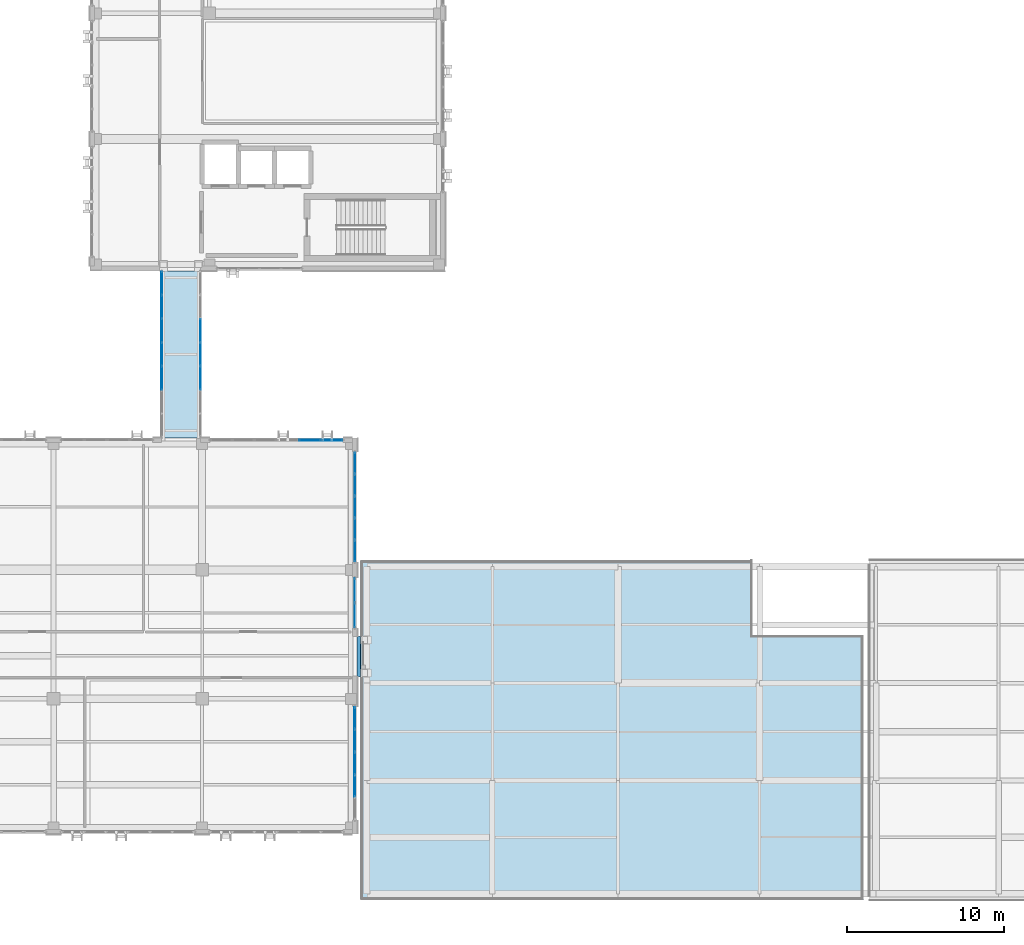
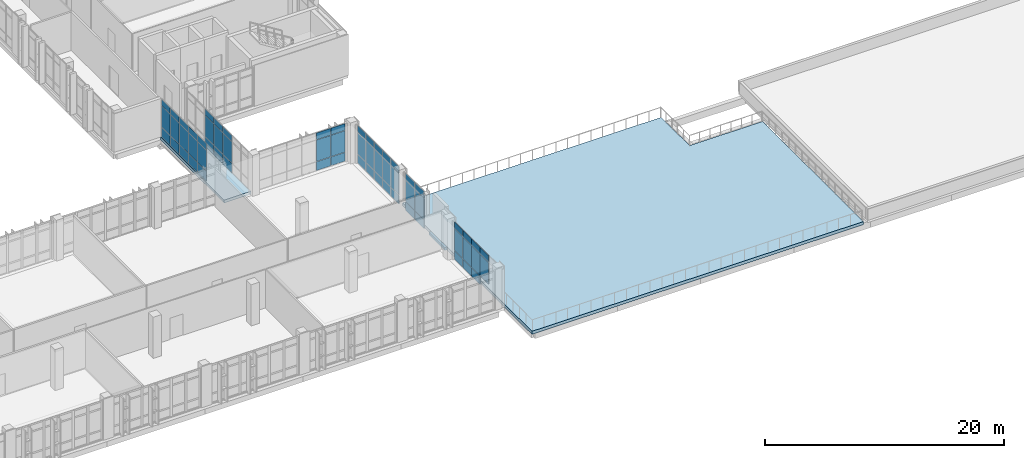
# One storey, part 120 of 165: 62 plates, 3 slabs, 6 elements without a shape of their own.
"""IFC4 building model written with IfcOpenShell, lengths in metres."""

from ifc_helpers import new_model, si_unit, direction, frame, origin, origin_2d, place, context, subcontext, project, spatial, polyline, rectangle, outline, extrude, material, layer, layer_set, type_object, element, aggregate, save


model = new_model("IFC4")

# Units and contexts
model_context = context("Model", 3, precision=1e-05, world=origin(), true_north=direction((0.0, 1.0)))
body_context = subcontext(model_context, "Body", "Model", "MODEL_VIEW")
ifc_project = project(units=[si_unit("LENGTHUNIT", "METRE"), si_unit("AREAUNIT", "SQUARE_METRE"), si_unit("VOLUMEUNIT", "CUBIC_METRE"), si_unit("PLANEANGLEUNIT", "RADIAN"), si_unit("MASSUNIT", "GRAM", prefix="KILO")], contexts=[model_context])

# Site, building, storey
site_placement = place(None, origin())
site = spatial("IfcSite", under=ifc_project, at=site_placement, CompositionType="ELEMENT")
building_placement = place(site_placement, origin())
building = spatial("IfcBuilding", under=site, at=building_placement, Name="Qalavern Law Courts", CompositionType="ELEMENT")
storey_placement = place(building_placement, frame((0.0, 0.0, 14.39990234375)))
storey = spatial("IfcBuildingStorey", under=building, at=storey_placement, Name="L03", CompositionType="ELEMENT", Elevation=14.39990234375)

# Curtain wall, plates
ifc_material_1 = material(Name="Anodised aluminium and insulated glazing", Category="aluminium")
ifc_layer_1 = layer(ifc_material_1, 0.18505859375)
ifc_layer_set_1 = layer_set([ifc_layer_1], Name="Anodised aluminium and insulated glazing")
curtain_wall_type_1 = type_object("IfcCurtainWallType", Name="ENV-CW-HALL", PredefinedType="USERDEFINED", material=ifc_layer_set_1)
curtain_wall_1_placement = place(storey_placement, origin())
curtain_wall_1 = element("IfcCurtainWall", 1, at=curtain_wall_1_placement, inside=storey, type_object=curtain_wall_type_1, Name="V2 unitised curtain wall L03 east 1", ObjectType="UNITISED CURTAIN WALL", PredefinedType="USERDEFINED")
ifc_material_2 = material(Name="Insulated low-E acoustic glazing", Category="glass")
ifc_layer_2 = layer(ifc_material_2, 0.02392578125)
ifc_layer_set_2 = layer_set([ifc_layer_2], Name="Insulated low-E acoustic glazing")
plate_type_1 = type_object("IfcPlateType", Name="ENV-CWP-24", PredefinedType="CURTAIN_PANEL", material=ifc_layer_set_2)
plate_1_placement = place(storey_placement, frame((101.052490234375, 19.112060546875, 0.048095703125), z_axis=(0.0, 0.0, 1.0), x_axis=(0.0, 1.0, 0.0)))
plate_1 = element("IfcPlate", 2, at=plate_1_placement, type_object=plate_type_1, Name="CW-02 panel 1.1", PredefinedType="CURTAIN_PANEL", context=body_context, shape_type="SweptSolid", body=[
    extrude(rectangle(XDim=1.528076171875, YDim=0.02392578125, at=origin_2d()), origin(), (0.0, 0.0, 1.0), 0.8779296875),
])
plate_2_placement = place(storey_placement, frame((101.052490234375, 19.112060546875, 0.97412109375), z_axis=(0.0, 0.0, 1.0), x_axis=(0.0, 1.0, 0.0)))
plate_2 = element("IfcPlate", 3, at=plate_2_placement, type_object=plate_type_1, Name="CW-02 panel 1.2", PredefinedType="CURTAIN_PANEL", context=body_context, shape_type="SweptSolid", body=[
    extrude(rectangle(XDim=1.528076171875, YDim=0.02392578125, at=origin_2d()), origin(), (0.0, 0.0, 1.0), 2.172119140625),
])
plate_3_placement = place(storey_placement, frame((101.052490234375, 19.112060546875, 3.1943359375), z_axis=(0.0, 0.0, 1.0), x_axis=(0.0, 1.0, 0.0)))
plate_3 = element("IfcPlate", 4, at=plate_3_placement, type_object=plate_type_1, Name="CW-02 panel 1.3", PredefinedType="CURTAIN_PANEL", context=body_context, shape_type="SweptSolid", body=[
    extrude(rectangle(XDim=1.528076171875, YDim=0.02392578125, at=origin_2d()), origin(), (0.0, 0.0, 1.0), 0.677978515625),
])
plate_4_placement = place(storey_placement, frame((101.052490234375, 20.68798828125, 0.048095703125), z_axis=(0.0, 0.0, 1.0), x_axis=(0.0, 1.0, 0.0)))
plate_4 = element("IfcPlate", 5, at=plate_4_placement, type_object=plate_type_1, Name="CW-02 panel 2.1", PredefinedType="CURTAIN_PANEL", context=body_context, shape_type="SweptSolid", body=[
    extrude(rectangle(XDim=1.528076171875, YDim=0.02392578125, at=origin_2d()), origin(), (0.0, 0.0, 1.0), 0.8779296875),
])
plate_5_placement = place(storey_placement, frame((101.052490234375, 20.68798828125, 0.97412109375), z_axis=(0.0, 0.0, 1.0), x_axis=(0.0, 1.0, 0.0)))
plate_5 = element("IfcPlate", 6, at=plate_5_placement, type_object=plate_type_1, Name="CW-02 panel 2.2", PredefinedType="CURTAIN_PANEL", context=body_context, shape_type="SweptSolid", body=[
    extrude(rectangle(XDim=1.528076171875, YDim=0.02392578125, at=origin_2d()), origin(), (0.0, 0.0, 1.0), 2.172119140625),
])
plate_6_placement = place(storey_placement, frame((101.052490234375, 20.68798828125, 3.1943359375), z_axis=(0.0, 0.0, 1.0), x_axis=(0.0, 1.0, 0.0)))
plate_6 = element("IfcPlate", 7, at=plate_6_placement, type_object=plate_type_1, Name="CW-02 panel 2.3", PredefinedType="CURTAIN_PANEL", context=body_context, shape_type="SweptSolid", body=[
    extrude(rectangle(XDim=1.528076171875, YDim=0.02392578125, at=origin_2d()), origin(), (0.0, 0.0, 1.0), 0.677978515625),
])
aggregate(curtain_wall_1, [plate_1, plate_2, plate_3, plate_4, plate_5, plate_6])

curtain_wall_2_placement = place(storey_placement, origin())
curtain_wall_2 = element("IfcCurtainWall", 8, at=curtain_wall_2_placement, inside=storey, type_object=curtain_wall_type_1, Name="V2 unitised curtain wall L03 east 2", ObjectType="UNITISED CURTAIN WALL", PredefinedType="USERDEFINED")
ifc_layer_3 = layer(ifc_material_2, 0.028076171875)
ifc_layer_set_3 = layer_set([ifc_layer_3], Name="Insulated low-E acoustic glazing")
plate_type_2 = type_object("IfcPlateType", Name="ENV-CWP-28", PredefinedType="CURTAIN_PANEL", material=ifc_layer_set_3)
plate_7_placement = place(storey_placement, frame((101.052490234375, 23.2119140625, 0.048095703125), z_axis=(0.0, 0.0, 1.0), x_axis=(0.0, 1.0, 0.0)))
plate_7 = element("IfcPlate", 9, at=plate_7_placement, type_object=plate_type_2, Name="CW-02 panel 1.1", PredefinedType="CURTAIN_PANEL", context=body_context, shape_type="SweptSolid", body=[
    extrude(rectangle(XDim=1.327880859375, YDim=0.028076171875, at=origin_2d()), origin(), (0.0, 0.0, 1.0), 0.8779296875),
])
plate_8_placement = place(storey_placement, frame((101.052490234375, 23.2119140625, 0.97412109375), z_axis=(0.0, 0.0, 1.0), x_axis=(0.0, 1.0, 0.0)))
plate_8 = element("IfcPlate", 10, at=plate_8_placement, type_object=plate_type_2, Name="CW-02 panel 1.2", PredefinedType="CURTAIN_PANEL", context=body_context, shape_type="SweptSolid", body=[
    extrude(rectangle(XDim=1.327880859375, YDim=0.028076171875, at=origin_2d()), origin(), (0.0, 0.0, 1.0), 2.172119140625),
])
plate_9_placement = place(storey_placement, frame((101.052490234375, 23.2119140625, 3.1943359375), z_axis=(0.0, 0.0, 1.0), x_axis=(0.0, 1.0, 0.0)))
plate_9 = element("IfcPlate", 11, at=plate_9_placement, type_object=plate_type_2, Name="CW-02 panel 1.3", PredefinedType="CURTAIN_PANEL", context=body_context, shape_type="SweptSolid", body=[
    extrude(rectangle(XDim=1.327880859375, YDim=0.028076171875, at=origin_2d()), origin(), (0.0, 0.0, 1.0), 0.677978515625),
])
plate_10_placement = place(storey_placement, frame((101.052490234375, 24.60009765625, 0.048095703125), z_axis=(0.0, 0.0, 1.0), x_axis=(0.0, 1.0, 0.0)))
plate_10 = element("IfcPlate", 12, at=plate_10_placement, type_object=plate_type_2, Name="CW-02 panel 2.1", PredefinedType="CURTAIN_PANEL", context=body_context, shape_type="SweptSolid", body=[
    extrude(rectangle(XDim=1.35205078125, YDim=0.028076171875, at=origin_2d()), origin(), (0.0, 0.0, 1.0), 0.8779296875),
])
plate_11_placement = place(storey_placement, frame((101.052490234375, 24.60009765625, 0.97412109375), z_axis=(0.0, 0.0, 1.0), x_axis=(0.0, 1.0, 0.0)))
plate_11 = element("IfcPlate", 13, at=plate_11_placement, type_object=plate_type_2, Name="CW-02 panel 2.2", PredefinedType="CURTAIN_PANEL", context=body_context, shape_type="SweptSolid", body=[
    extrude(rectangle(XDim=1.35205078125, YDim=0.028076171875, at=origin_2d()), origin(), (0.0, 0.0, 1.0), 2.172119140625),
])
plate_12_placement = place(storey_placement, frame((101.052490234375, 24.60009765625, 3.1943359375), z_axis=(0.0, 0.0, 1.0), x_axis=(0.0, 1.0, 0.0)))
plate_12 = element("IfcPlate", 14, at=plate_12_placement, type_object=plate_type_2, Name="CW-02 panel 2.3", PredefinedType="CURTAIN_PANEL", context=body_context, shape_type="SweptSolid", body=[
    extrude(rectangle(XDim=1.35205078125, YDim=0.028076171875, at=origin_2d()), origin(), (0.0, 0.0, 1.0), 0.677978515625),
])
plate_13_placement = place(storey_placement, frame((101.052490234375, 26.0, 0.048095703125), z_axis=(0.0, 0.0, 1.0), x_axis=(0.0, 1.0, 0.0)))
plate_13 = element("IfcPlate", 15, at=plate_13_placement, type_object=plate_type_2, Name="CW-02 panel 3.1", PredefinedType="CURTAIN_PANEL", context=body_context, shape_type="SweptSolid", body=[
    extrude(rectangle(XDim=1.35205078125, YDim=0.028076171875, at=origin_2d()), origin(), (0.0, 0.0, 1.0), 0.8779296875),
])
plate_14_placement = place(storey_placement, frame((101.052490234375, 26.0, 0.97412109375), z_axis=(0.0, 0.0, 1.0), x_axis=(0.0, 1.0, 0.0)))
plate_14 = element("IfcPlate", 16, at=plate_14_placement, type_object=plate_type_2, Name="CW-02 panel 3.2", PredefinedType="CURTAIN_PANEL", context=body_context, shape_type="SweptSolid", body=[
    extrude(rectangle(XDim=1.35205078125, YDim=0.028076171875, at=origin_2d()), origin(), (0.0, 0.0, 1.0), 2.172119140625),
])
plate_15_placement = place(storey_placement, frame((101.052490234375, 26.0, 3.1943359375), z_axis=(0.0, 0.0, 1.0), x_axis=(0.0, 1.0, 0.0)))
plate_15 = element("IfcPlate", 17, at=plate_15_placement, type_object=plate_type_2, Name="CW-02 panel 3.3", PredefinedType="CURTAIN_PANEL", context=body_context, shape_type="SweptSolid", body=[
    extrude(rectangle(XDim=1.35205078125, YDim=0.028076171875, at=origin_2d()), origin(), (0.0, 0.0, 1.0), 0.677978515625),
])
plate_16_placement = place(storey_placement, frame((101.052490234375, 27.39990234375, 0.048095703125), z_axis=(0.0, 0.0, 1.0), x_axis=(0.0, 1.0, 0.0)))
plate_16 = element("IfcPlate", 18, at=plate_16_placement, type_object=plate_type_2, Name="CW-02 panel 4.1", PredefinedType="CURTAIN_PANEL", context=body_context, shape_type="SweptSolid", body=[
    extrude(rectangle(XDim=1.35205078125, YDim=0.028076171875, at=origin_2d()), origin(), (0.0, 0.0, 1.0), 0.8779296875),
])
plate_17_placement = place(storey_placement, frame((101.052490234375, 27.39990234375, 0.97412109375), z_axis=(0.0, 0.0, 1.0), x_axis=(0.0, 1.0, 0.0)))
plate_17 = element("IfcPlate", 19, at=plate_17_placement, type_object=plate_type_2, Name="CW-02 panel 4.2", PredefinedType="CURTAIN_PANEL", context=body_context, shape_type="SweptSolid", body=[
    extrude(rectangle(XDim=1.35205078125, YDim=0.028076171875, at=origin_2d()), origin(), (0.0, 0.0, 1.0), 2.172119140625),
])
plate_18_placement = place(storey_placement, frame((101.052490234375, 27.39990234375, 3.1943359375), z_axis=(0.0, 0.0, 1.0), x_axis=(0.0, 1.0, 0.0)))
plate_18 = element("IfcPlate", 20, at=plate_18_placement, type_object=plate_type_2, Name="CW-02 panel 4.3", PredefinedType="CURTAIN_PANEL", context=body_context, shape_type="SweptSolid", body=[
    extrude(rectangle(XDim=1.35205078125, YDim=0.028076171875, at=origin_2d()), origin(), (0.0, 0.0, 1.0), 0.677978515625),
])
plate_19_placement = place(storey_placement, frame((101.052490234375, 28.7880859375, 0.048095703125), z_axis=(0.0, 0.0, 1.0), x_axis=(0.0, 1.0, 0.0)))
plate_19 = element("IfcPlate", 21, at=plate_19_placement, type_object=plate_type_2, Name="CW-02 panel 5.1", PredefinedType="CURTAIN_PANEL", context=body_context, shape_type="SweptSolid", body=[
    extrude(rectangle(XDim=1.327880859375, YDim=0.028076171875, at=origin_2d()), origin(), (0.0, 0.0, 1.0), 0.8779296875),
])
plate_20_placement = place(storey_placement, frame((101.052490234375, 28.7880859375, 0.97412109375), z_axis=(0.0, 0.0, 1.0), x_axis=(0.0, 1.0, 0.0)))
plate_20 = element("IfcPlate", 22, at=plate_20_placement, type_object=plate_type_2, Name="CW-02 panel 5.2", PredefinedType="CURTAIN_PANEL", context=body_context, shape_type="SweptSolid", body=[
    extrude(rectangle(XDim=1.327880859375, YDim=0.028076171875, at=origin_2d()), origin(), (0.0, 0.0, 1.0), 2.172119140625),
])
plate_21_placement = place(storey_placement, frame((101.052490234375, 28.7880859375, 3.1943359375), z_axis=(0.0, 0.0, 1.0), x_axis=(0.0, 1.0, 0.0)))
plate_21 = element("IfcPlate", 23, at=plate_21_placement, type_object=plate_type_2, Name="CW-02 panel 5.3", PredefinedType="CURTAIN_PANEL", context=body_context, shape_type="SweptSolid", body=[
    extrude(rectangle(XDim=1.327880859375, YDim=0.028076171875, at=origin_2d()), origin(), (0.0, 0.0, 1.0), 0.677978515625),
])
aggregate(curtain_wall_2, [plate_7, plate_8, plate_9, plate_10, plate_11, plate_12, plate_13, plate_14, plate_15, plate_16, plate_17, plate_18, plate_19, plate_20, plate_21])

ifc_layer_4 = layer(ifc_material_1, 0.14990234375)
ifc_layer_set_4 = layer_set([ifc_layer_4], Name="Anodised aluminium and insulated glazing")
curtain_wall_type_2 = type_object("IfcCurtainWallType", Name="ENV-CW-BRG", PredefinedType="USERDEFINED", material=ifc_layer_set_4)
curtain_wall_3_placement = place(storey_placement, origin())
curtain_wall_3 = element("IfcCurtainWall", 24, at=curtain_wall_3_placement, inside=storey, type_object=curtain_wall_type_2, Name="Bridge BR-V2-V4 glazed curtain wall L03-1", ObjectType="UNITISED CURTAIN WALL", PredefinedType="USERDEFINED")
ifc_layer_5 = layer(ifc_material_2, 0.031982421875)
ifc_layer_set_5 = layer_set([ifc_layer_5], Name="Insulated low-E acoustic glazing")
plate_type_3 = type_object("IfcPlateType", Name="ENV-CWP-32", PredefinedType="CURTAIN_PANEL", material=ifc_layer_set_5)
plate_22_placement = place(storey_placement, frame((88.77490234375, 40.232177734375, 0.048095703125), z_axis=(0.0, 0.0, 1.0), x_axis=(0.0, -1.0, 0.0)))
plate_22 = element("IfcPlate", 25, at=plate_22_placement, type_object=plate_type_3, Name="CW-06 panel 1.1", PredefinedType="CURTAIN_PANEL", context=body_context, shape_type="SweptSolid", body=[
    extrude(rectangle(XDim=1.439453125, YDim=0.031982421875, at=origin_2d()), origin(), (0.0, 0.0, 1.0), 0.97802734375),
])
plate_23_placement = place(storey_placement, frame((88.77490234375, 40.232177734375, 1.073974609375), z_axis=(0.0, 0.0, 1.0), x_axis=(0.0, -1.0, 0.0)))
plate_23 = element("IfcPlate", 26, at=plate_23_placement, type_object=plate_type_3, Name="CW-06 panel 1.2", PredefinedType="CURTAIN_PANEL", context=body_context, shape_type="SweptSolid", body=[
    extrude(rectangle(XDim=1.439453125, YDim=0.031982421875, at=origin_2d()), origin(), (0.0, 0.0, 1.0), 2.1220703125),
])
plate_24_placement = place(storey_placement, frame((88.77490234375, 40.232177734375, 3.244140625), z_axis=(0.0, 0.0, 1.0), x_axis=(0.0, -1.0, 0.0)))
plate_24 = element("IfcPlate", 27, at=plate_24_placement, type_object=plate_type_3, Name="CW-06 panel 1.3", PredefinedType="CURTAIN_PANEL", context=body_context, shape_type="SweptSolid", body=[
    extrude(rectangle(XDim=1.439453125, YDim=0.031982421875, at=origin_2d()), origin(), (0.0, 0.0, 1.0), 0.6279296875),
])
plate_25_placement = place(storey_placement, frame((88.77490234375, 38.73291015625, 0.048095703125), z_axis=(0.0, 0.0, 1.0), x_axis=(0.0, -1.0, 0.0)))
plate_25 = element("IfcPlate", 28, at=plate_25_placement, type_object=plate_type_3, Name="CW-06 panel 2.1", PredefinedType="CURTAIN_PANEL", context=body_context, shape_type="SweptSolid", body=[
    extrude(rectangle(XDim=1.46337890625, YDim=0.031982421875, at=origin_2d()), origin(), (0.0, 0.0, 1.0), 0.97802734375),
])
plate_26_placement = place(storey_placement, frame((88.77490234375, 38.73291015625, 1.073974609375), z_axis=(0.0, 0.0, 1.0), x_axis=(0.0, -1.0, 0.0)))
plate_26 = element("IfcPlate", 29, at=plate_26_placement, type_object=plate_type_3, Name="CW-06 panel 2.2", PredefinedType="CURTAIN_PANEL", context=body_context, shape_type="SweptSolid", body=[
    extrude(rectangle(XDim=1.46337890625, YDim=0.031982421875, at=origin_2d()), origin(), (0.0, 0.0, 1.0), 2.1220703125),
])
plate_27_placement = place(storey_placement, frame((88.77490234375, 38.73291015625, 3.244140625), z_axis=(0.0, 0.0, 1.0), x_axis=(0.0, -1.0, 0.0)))
plate_27 = element("IfcPlate", 30, at=plate_27_placement, type_object=plate_type_3, Name="CW-06 panel 2.3", PredefinedType="CURTAIN_PANEL", context=body_context, shape_type="SweptSolid", body=[
    extrude(rectangle(XDim=1.46337890625, YDim=0.031982421875, at=origin_2d()), origin(), (0.0, 0.0, 1.0), 0.6279296875),
])
plate_28_placement = place(storey_placement, frame((88.77490234375, 37.221435546875, 0.048095703125), z_axis=(0.0, 0.0, 1.0), x_axis=(0.0, -1.0, 0.0)))
plate_28 = element("IfcPlate", 31, at=plate_28_placement, type_object=plate_type_3, Name="CW-06 panel 3.1", PredefinedType="CURTAIN_PANEL", context=body_context, shape_type="SweptSolid", body=[
    extrude(rectangle(XDim=1.46337890625, YDim=0.031982421875, at=origin_2d()), origin(), (0.0, 0.0, 1.0), 0.97802734375),
])
plate_29_placement = place(storey_placement, frame((88.77490234375, 37.221435546875, 1.073974609375), z_axis=(0.0, 0.0, 1.0), x_axis=(0.0, -1.0, 0.0)))
plate_29 = element("IfcPlate", 32, at=plate_29_placement, type_object=plate_type_3, Name="CW-06 panel 3.2", PredefinedType="CURTAIN_PANEL", context=body_context, shape_type="SweptSolid", body=[
    extrude(rectangle(XDim=1.46337890625, YDim=0.031982421875, at=origin_2d()), origin(), (0.0, 0.0, 1.0), 2.1220703125),
])
plate_30_placement = place(storey_placement, frame((88.77490234375, 37.221435546875, 3.244140625), z_axis=(0.0, 0.0, 1.0), x_axis=(0.0, -1.0, 0.0)))
plate_30 = element("IfcPlate", 33, at=plate_30_placement, type_object=plate_type_3, Name="CW-06 panel 3.3", PredefinedType="CURTAIN_PANEL", context=body_context, shape_type="SweptSolid", body=[
    extrude(rectangle(XDim=1.46337890625, YDim=0.031982421875, at=origin_2d()), origin(), (0.0, 0.0, 1.0), 0.6279296875),
])
plate_31_placement = place(storey_placement, frame((88.77490234375, 35.7099609375, 0.048095703125), z_axis=(0.0, 0.0, 1.0), x_axis=(0.0, -1.0, 0.0)))
plate_31 = element("IfcPlate", 34, at=plate_31_placement, type_object=plate_type_3, Name="CW-06 panel 4.1", PredefinedType="CURTAIN_PANEL", context=body_context, shape_type="SweptSolid", body=[
    extrude(rectangle(XDim=1.46337890625, YDim=0.031982421875, at=origin_2d()), origin(), (0.0, 0.0, 1.0), 0.97802734375),
])
plate_32_placement = place(storey_placement, frame((88.77490234375, 35.7099609375, 1.073974609375), z_axis=(0.0, 0.0, 1.0), x_axis=(0.0, -1.0, 0.0)))
plate_32 = element("IfcPlate", 35, at=plate_32_placement, type_object=plate_type_3, Name="CW-06 panel 4.2", PredefinedType="CURTAIN_PANEL", context=body_context, shape_type="SweptSolid", body=[
    extrude(rectangle(XDim=1.46337890625, YDim=0.031982421875, at=origin_2d()), origin(), (0.0, 0.0, 1.0), 2.1220703125),
])
plate_33_placement = place(storey_placement, frame((88.77490234375, 35.7099609375, 3.244140625), z_axis=(0.0, 0.0, 1.0), x_axis=(0.0, -1.0, 0.0)))
plate_33 = element("IfcPlate", 36, at=plate_33_placement, type_object=plate_type_3, Name="CW-06 panel 4.3", PredefinedType="CURTAIN_PANEL", context=body_context, shape_type="SweptSolid", body=[
    extrude(rectangle(XDim=1.46337890625, YDim=0.031982421875, at=origin_2d()), origin(), (0.0, 0.0, 1.0), 0.6279296875),
])
plate_34_placement = place(storey_placement, frame((88.77490234375, 34.198486328125, 0.048095703125), z_axis=(0.0, 0.0, 1.0), x_axis=(0.0, -1.0, 0.0)))
plate_34 = element("IfcPlate", 37, at=plate_34_placement, type_object=plate_type_3, Name="CW-06 panel 5.1", PredefinedType="CURTAIN_PANEL", context=body_context, shape_type="SweptSolid", body=[
    extrude(rectangle(XDim=1.46337890625, YDim=0.031982421875, at=origin_2d()), origin(), (0.0, 0.0, 1.0), 0.97802734375),
])
plate_35_placement = place(storey_placement, frame((88.77490234375, 34.198486328125, 1.073974609375), z_axis=(0.0, 0.0, 1.0), x_axis=(0.0, -1.0, 0.0)))
plate_35 = element("IfcPlate", 38, at=plate_35_placement, type_object=plate_type_3, Name="CW-06 panel 5.2", PredefinedType="CURTAIN_PANEL", context=body_context, shape_type="SweptSolid", body=[
    extrude(rectangle(XDim=1.46337890625, YDim=0.031982421875, at=origin_2d()), origin(), (0.0, 0.0, 1.0), 2.1220703125),
])
plate_36_placement = place(storey_placement, frame((88.77490234375, 34.198486328125, 3.244140625), z_axis=(0.0, 0.0, 1.0), x_axis=(0.0, -1.0, 0.0)))
plate_36 = element("IfcPlate", 39, at=plate_36_placement, type_object=plate_type_3, Name="CW-06 panel 5.3", PredefinedType="CURTAIN_PANEL", context=body_context, shape_type="SweptSolid", body=[
    extrude(rectangle(XDim=1.46337890625, YDim=0.031982421875, at=origin_2d()), origin(), (0.0, 0.0, 1.0), 0.6279296875),
])
aggregate(curtain_wall_3, [plate_22, plate_23, plate_24, plate_25, plate_26, plate_27, plate_28, plate_29, plate_30, plate_31, plate_32, plate_33, plate_34, plate_35, plate_36])

curtain_wall_4_placement = place(storey_placement, origin())
curtain_wall_4 = element("IfcCurtainWall", 40, at=curtain_wall_4_placement, inside=storey, type_object=curtain_wall_type_2, Name="Bridge BR-V2-V4 glazed curtain wall L03-2", ObjectType="UNITISED CURTAIN WALL", PredefinedType="USERDEFINED")
plate_37_placement = place(storey_placement, frame((91.22509765625, 34.198486328125, 0.048095703125), z_axis=(0.0, 0.0, 1.0), x_axis=(0.0, 1.0, 0.0)))
plate_37 = element("IfcPlate", 41, at=plate_37_placement, type_object=plate_type_3, Name="CW-06 panel 3.1", PredefinedType="CURTAIN_PANEL", context=body_context, shape_type="SweptSolid", body=[
    extrude(rectangle(XDim=1.46337890625, YDim=0.031982421875, at=origin_2d()), origin(), (0.0, 0.0, 1.0), 0.97802734375),
])
plate_38_placement = place(storey_placement, frame((91.22509765625, 34.198486328125, 1.073974609375), z_axis=(0.0, 0.0, 1.0), x_axis=(0.0, 1.0, 0.0)))
plate_38 = element("IfcPlate", 42, at=plate_38_placement, type_object=plate_type_3, Name="CW-06 panel 3.2", PredefinedType="CURTAIN_PANEL", context=body_context, shape_type="SweptSolid", body=[
    extrude(rectangle(XDim=1.46337890625, YDim=0.031982421875, at=origin_2d()), origin(), (0.0, 0.0, 1.0), 2.1220703125),
])
plate_39_placement = place(storey_placement, frame((91.22509765625, 34.198486328125, 3.244140625), z_axis=(0.0, 0.0, 1.0), x_axis=(0.0, 1.0, 0.0)))
plate_39 = element("IfcPlate", 43, at=plate_39_placement, type_object=plate_type_3, Name="CW-06 panel 3.3", PredefinedType="CURTAIN_PANEL", context=body_context, shape_type="SweptSolid", body=[
    extrude(rectangle(XDim=1.46337890625, YDim=0.031982421875, at=origin_2d()), origin(), (0.0, 0.0, 1.0), 0.6279296875),
])
plate_40_placement = place(storey_placement, frame((91.22509765625, 35.7099609375, 0.048095703125), z_axis=(0.0, 0.0, 1.0), x_axis=(0.0, 1.0, 0.0)))
plate_40 = element("IfcPlate", 44, at=plate_40_placement, type_object=plate_type_3, Name="CW-06 panel 4.1", PredefinedType="CURTAIN_PANEL", context=body_context, shape_type="SweptSolid", body=[
    extrude(rectangle(XDim=1.46337890625, YDim=0.031982421875, at=origin_2d()), origin(), (0.0, 0.0, 1.0), 0.97802734375),
])
plate_41_placement = place(storey_placement, frame((91.22509765625, 35.7099609375, 1.073974609375), z_axis=(0.0, 0.0, 1.0), x_axis=(0.0, 1.0, 0.0)))
plate_41 = element("IfcPlate", 45, at=plate_41_placement, type_object=plate_type_3, Name="CW-06 panel 4.2", PredefinedType="CURTAIN_PANEL", context=body_context, shape_type="SweptSolid", body=[
    extrude(rectangle(XDim=1.46337890625, YDim=0.031982421875, at=origin_2d()), origin(), (0.0, 0.0, 1.0), 2.1220703125),
])
plate_42_placement = place(storey_placement, frame((91.22509765625, 35.7099609375, 3.244140625), z_axis=(0.0, 0.0, 1.0), x_axis=(0.0, 1.0, 0.0)))
plate_42 = element("IfcPlate", 46, at=plate_42_placement, type_object=plate_type_3, Name="CW-06 panel 4.3", PredefinedType="CURTAIN_PANEL", context=body_context, shape_type="SweptSolid", body=[
    extrude(rectangle(XDim=1.46337890625, YDim=0.031982421875, at=origin_2d()), origin(), (0.0, 0.0, 1.0), 0.6279296875),
])
plate_43_placement = place(storey_placement, frame((91.22509765625, 37.221435546875, 0.048095703125), z_axis=(0.0, 0.0, 1.0), x_axis=(0.0, 1.0, 0.0)))
plate_43 = element("IfcPlate", 47, at=plate_43_placement, type_object=plate_type_3, Name="CW-06 panel 5.1", PredefinedType="CURTAIN_PANEL", context=body_context, shape_type="SweptSolid", body=[
    extrude(rectangle(XDim=1.46337890625, YDim=0.031982421875, at=origin_2d()), origin(), (0.0, 0.0, 1.0), 0.97802734375),
])
plate_44_placement = place(storey_placement, frame((91.22509765625, 37.221435546875, 1.073974609375), z_axis=(0.0, 0.0, 1.0), x_axis=(0.0, 1.0, 0.0)))
plate_44 = element("IfcPlate", 48, at=plate_44_placement, type_object=plate_type_3, Name="CW-06 panel 5.2", PredefinedType="CURTAIN_PANEL", context=body_context, shape_type="SweptSolid", body=[
    extrude(rectangle(XDim=1.46337890625, YDim=0.031982421875, at=origin_2d()), origin(), (0.0, 0.0, 1.0), 2.1220703125),
])
plate_45_placement = place(storey_placement, frame((91.22509765625, 37.221435546875, 3.244140625), z_axis=(0.0, 0.0, 1.0), x_axis=(0.0, 1.0, 0.0)))
plate_45 = element("IfcPlate", 49, at=plate_45_placement, type_object=plate_type_3, Name="CW-06 panel 5.3", PredefinedType="CURTAIN_PANEL", context=body_context, shape_type="SweptSolid", body=[
    extrude(rectangle(XDim=1.46337890625, YDim=0.031982421875, at=origin_2d()), origin(), (0.0, 0.0, 1.0), 0.6279296875),
])
aggregate(curtain_wall_4, [plate_37, plate_38, plate_39, plate_40, plate_41, plate_42, plate_43, plate_44, plate_45])

curtain_wall_5_placement = place(storey_placement, origin())
curtain_wall_5 = element("IfcCurtainWall", 50, at=curtain_wall_5_placement, inside=storey, type_object=curtain_wall_type_1, Name="V2 unitised curtain wall L03 east 1", ObjectType="UNITISED CURTAIN WALL", PredefinedType="USERDEFINED")
ifc_layer_6 = layer(ifc_material_2, 0.052001953125)
ifc_layer_set_6 = layer_set([ifc_layer_6], Name="Insulated low-E acoustic glazing")
plate_type_4 = type_object("IfcPlateType", Name="ENV-CWP-52", PredefinedType="CURTAIN_PANEL", material=ifc_layer_set_6)
plate_46_placement = place(storey_placement, frame((101.052490234375, 8.260009765625, 0.97412109375), z_axis=(0.0, 0.0, 1.0), x_axis=(0.0, 1.0, 0.0)))
plate_46 = element("IfcPlate", 51, at=plate_46_placement, type_object=plate_type_4, Name="CW-02 panel 2.2", PredefinedType="CURTAIN_PANEL", context=body_context, shape_type="SweptSolid", body=[
    extrude(rectangle(XDim=1.39208984375, YDim=0.052001953125, at=origin_2d()), origin(), (0.0, 0.0, 1.0), 2.172119140625),
])
plate_47_placement = place(storey_placement, frame((101.052490234375, 8.260009765625, 3.1943359375), z_axis=(0.0, 0.0, 1.0), x_axis=(0.0, 1.0, 0.0)))
plate_47 = element("IfcPlate", 52, at=plate_47_placement, type_object=plate_type_4, Name="CW-02 panel 2.3", PredefinedType="CURTAIN_PANEL", context=body_context, shape_type="SweptSolid", body=[
    extrude(rectangle(XDim=1.39208984375, YDim=0.052001953125, at=origin_2d()), origin(), (0.0, 0.0, 1.0), 0.677978515625),
])
plate_48_placement = place(storey_placement, frame((101.052490234375, 9.699951171875, 0.048095703125), z_axis=(0.0, 0.0, 1.0), x_axis=(0.0, 1.0, 0.0)))
plate_48 = element("IfcPlate", 53, at=plate_48_placement, type_object=plate_type_4, Name="CW-02 panel 3.1", PredefinedType="CURTAIN_PANEL", context=body_context, shape_type="SweptSolid", body=[
    extrude(rectangle(XDim=1.39208984375, YDim=0.052001953125, at=origin_2d()), origin(), (0.0, 0.0, 1.0), 0.8779296875),
])
plate_49_placement = place(storey_placement, frame((101.052490234375, 9.699951171875, 0.97412109375), z_axis=(0.0, 0.0, 1.0), x_axis=(0.0, 1.0, 0.0)))
plate_49 = element("IfcPlate", 54, at=plate_49_placement, type_object=plate_type_4, Name="CW-02 panel 3.2", PredefinedType="CURTAIN_PANEL", context=body_context, shape_type="SweptSolid", body=[
    extrude(rectangle(XDim=1.39208984375, YDim=0.052001953125, at=origin_2d()), origin(), (0.0, 0.0, 1.0), 2.172119140625),
])
plate_50_placement = place(storey_placement, frame((101.052490234375, 9.699951171875, 3.1943359375), z_axis=(0.0, 0.0, 1.0), x_axis=(0.0, 1.0, 0.0)))
plate_50 = element("IfcPlate", 55, at=plate_50_placement, type_object=plate_type_4, Name="CW-02 panel 3.3", PredefinedType="CURTAIN_PANEL", context=body_context, shape_type="SweptSolid", body=[
    extrude(rectangle(XDim=1.39208984375, YDim=0.052001953125, at=origin_2d()), origin(), (0.0, 0.0, 1.0), 0.677978515625),
])
plate_51_placement = place(storey_placement, frame((101.052490234375, 11.139892578125, 0.048095703125), z_axis=(0.0, 0.0, 1.0), x_axis=(0.0, 1.0, 0.0)))
plate_51 = element("IfcPlate", 56, at=plate_51_placement, type_object=plate_type_4, Name="CW-02 panel 4.1", PredefinedType="CURTAIN_PANEL", context=body_context, shape_type="SweptSolid", body=[
    extrude(rectangle(XDim=1.39208984375, YDim=0.052001953125, at=origin_2d()), origin(), (0.0, 0.0, 1.0), 0.8779296875),
])
plate_52_placement = place(storey_placement, frame((101.052490234375, 11.139892578125, 0.97412109375), z_axis=(0.0, 0.0, 1.0), x_axis=(0.0, 1.0, 0.0)))
plate_52 = element("IfcPlate", 57, at=plate_52_placement, type_object=plate_type_4, Name="CW-02 panel 4.2", PredefinedType="CURTAIN_PANEL", context=body_context, shape_type="SweptSolid", body=[
    extrude(rectangle(XDim=1.39208984375, YDim=0.052001953125, at=origin_2d()), origin(), (0.0, 0.0, 1.0), 2.172119140625),
])
plate_53_placement = place(storey_placement, frame((101.052490234375, 11.139892578125, 3.1943359375), z_axis=(0.0, 0.0, 1.0), x_axis=(0.0, 1.0, 0.0)))
plate_53 = element("IfcPlate", 58, at=plate_53_placement, type_object=plate_type_4, Name="CW-02 panel 4.3", PredefinedType="CURTAIN_PANEL", context=body_context, shape_type="SweptSolid", body=[
    extrude(rectangle(XDim=1.39208984375, YDim=0.052001953125, at=origin_2d()), origin(), (0.0, 0.0, 1.0), 0.677978515625),
])
plate_54_placement = place(storey_placement, frame((101.052490234375, 12.568115234375, 0.048095703125), z_axis=(0.0, 0.0, 1.0), x_axis=(0.0, 1.0, 0.0)))
plate_54 = element("IfcPlate", 59, at=plate_54_placement, type_object=plate_type_4, Name="CW-02 panel 5.1", PredefinedType="CURTAIN_PANEL", context=body_context, shape_type="SweptSolid", body=[
    extrude(rectangle(XDim=1.367919921875, YDim=0.052001953125, at=origin_2d()), origin(), (0.0, 0.0, 1.0), 0.8779296875),
])
plate_55_placement = place(storey_placement, frame((101.052490234375, 12.568115234375, 0.97412109375), z_axis=(0.0, 0.0, 1.0), x_axis=(0.0, 1.0, 0.0)))
plate_55 = element("IfcPlate", 60, at=plate_55_placement, type_object=plate_type_4, Name="CW-02 panel 5.2", PredefinedType="CURTAIN_PANEL", context=body_context, shape_type="SweptSolid", body=[
    extrude(rectangle(XDim=1.367919921875, YDim=0.052001953125, at=origin_2d()), origin(), (0.0, 0.0, 1.0), 2.172119140625),
])
plate_56_placement = place(storey_placement, frame((101.052490234375, 12.568115234375, 3.1943359375), z_axis=(0.0, 0.0, 1.0), x_axis=(0.0, 1.0, 0.0)))
plate_56 = element("IfcPlate", 61, at=plate_56_placement, type_object=plate_type_4, Name="CW-02 panel 5.3", PredefinedType="CURTAIN_PANEL", context=body_context, shape_type="SweptSolid", body=[
    extrude(rectangle(XDim=1.367919921875, YDim=0.052001953125, at=origin_2d()), origin(), (0.0, 0.0, 1.0), 0.677978515625),
])
aggregate(curtain_wall_5, [plate_46, plate_47, plate_48, plate_49, plate_50, plate_51, plate_52, plate_53, plate_54, plate_55, plate_56])

curtain_wall_6_placement = place(storey_placement, origin())
curtain_wall_6 = element("IfcCurtainWall", 62, at=curtain_wall_6_placement, inside=storey, type_object=curtain_wall_type_1, Name="V2 unitised curtain wall L03 north 1", ObjectType="UNITISED CURTAIN WALL", PredefinedType="USERDEFINED")
plate_57_placement = place(storey_placement, frame((99.58349609375, 30.25244140625, 0.048095703125), z_axis=(0.0, 0.0, 1.0), x_axis=(-1.0, 0.0, 0.0)))
plate_57 = element("IfcPlate", 63, at=plate_57_placement, type_object=plate_type_4, Name="CW-02 panel 1.1", PredefinedType="CURTAIN_PANEL", context=body_context, shape_type="SweptSolid", body=[
    extrude(rectangle(XDim=1.337158203125, YDim=0.052001953125, at=origin_2d()), origin(), (0.0, 0.0, 1.0), 0.8779296875),
])
plate_58_placement = place(storey_placement, frame((99.58349609375, 30.25244140625, 0.97412109375), z_axis=(0.0, 0.0, 1.0), x_axis=(-1.0, 0.0, 0.0)))
plate_58 = element("IfcPlate", 64, at=plate_58_placement, type_object=plate_type_4, Name="CW-02 panel 1.2", PredefinedType="CURTAIN_PANEL", context=body_context, shape_type="SweptSolid", body=[
    extrude(rectangle(XDim=1.337158203125, YDim=0.052001953125, at=origin_2d()), origin(), (0.0, 0.0, 1.0), 2.172119140625),
])
plate_59_placement = place(storey_placement, frame((99.58349609375, 30.25244140625, 3.1943359375), z_axis=(0.0, 0.0, 1.0), x_axis=(-1.0, 0.0, 0.0)))
plate_59 = element("IfcPlate", 65, at=plate_59_placement, type_object=plate_type_4, Name="CW-02 panel 1.3", PredefinedType="CURTAIN_PANEL", context=body_context, shape_type="SweptSolid", body=[
    extrude(rectangle(XDim=1.337158203125, YDim=0.052001953125, at=origin_2d()), origin(), (0.0, 0.0, 1.0), 0.677978515625),
])
plate_60_placement = place(storey_placement, frame((98.1865234375, 30.25244140625, 0.048095703125), z_axis=(0.0, 0.0, 1.0), x_axis=(-1.0, 0.0, 0.0)))
plate_60 = element("IfcPlate", 66, at=plate_60_placement, type_object=plate_type_4, Name="CW-02 panel 2.1", PredefinedType="CURTAIN_PANEL", context=body_context, shape_type="SweptSolid", body=[
    extrude(rectangle(XDim=1.361083984375, YDim=0.052001953125, at=origin_2d()), origin(), (0.0, 0.0, 1.0), 0.8779296875),
])
plate_61_placement = place(storey_placement, frame((98.1865234375, 30.25244140625, 0.97412109375), z_axis=(0.0, 0.0, 1.0), x_axis=(-1.0, 0.0, 0.0)))
plate_61 = element("IfcPlate", 67, at=plate_61_placement, type_object=plate_type_4, Name="CW-02 panel 2.2", PredefinedType="CURTAIN_PANEL", context=body_context, shape_type="SweptSolid", body=[
    extrude(rectangle(XDim=1.361083984375, YDim=0.052001953125, at=origin_2d()), origin(), (0.0, 0.0, 1.0), 2.172119140625),
])
plate_62_placement = place(storey_placement, frame((98.1865234375, 30.25244140625, 3.1943359375), z_axis=(0.0, 0.0, 1.0), x_axis=(-1.0, 0.0, 0.0)))
plate_62 = element("IfcPlate", 68, at=plate_62_placement, type_object=plate_type_4, Name="CW-02 panel 2.3", PredefinedType="CURTAIN_PANEL", context=body_context, shape_type="SweptSolid", body=[
    extrude(rectangle(XDim=1.361083984375, YDim=0.052001953125, at=origin_2d()), origin(), (0.0, 0.0, 1.0), 0.677978515625),
])
aggregate(curtain_wall_6, [plate_57, plate_58, plate_59, plate_60, plate_61, plate_62])

# Slabs
ifc_material_3 = material(Name="Concrete C40/50", Category="concrete")
ifc_layer_7 = layer(ifc_material_3, 0.284912109375)
ifc_layer_set_7 = layer_set([ifc_layer_7], Name="Concrete C40/50")
slab_type_1 = type_object("IfcSlabType", Name="STR-SLB-L03-285", PredefinedType="FLOOR", material=ifc_layer_set_7)
slab_1_placement = place(storey_placement, frame((0.0, 0.0, -0.284912109375)))
element("IfcSlab", 69, at=slab_1_placement, inside=storey, type_object=slab_type_1, Name="Bridge BR-V2-V6 deck slab L03", PredefinedType="FLOOR", context=body_context, shape_type="SweptSolid", body=[
    extrude(outline(polyline([(101.199951171875, 15.199951171875), (101.419921875, 15.199951171875), (101.419921875, 17.800048828125), (101.199951171875, 17.800048828125), (101.199951171875, 15.199951171875)])), origin(), (0.0, 0.0, 1.0), 0.284912109375),
])
slab_2_placement = place(storey_placement, frame((0.0, 0.0, -0.284912109375)))
element("IfcSlab", 70, at=slab_2_placement, inside=storey, type_object=slab_type_1, Name="Bridge BR-V2-V4 deck slab L03", PredefinedType="FLOOR", context=body_context, shape_type="SweptSolid", body=[
    extrude(outline(polyline([(88.699951171875, 30.39990234375), (91.300048828125, 30.39990234375), (91.300048828125, 41.02001953125), (88.699951171875, 41.02001953125), (88.699951171875, 30.39990234375)])), origin(), (0.0, 0.0, 1.0), 0.284912109375),
])
ifc_material_4 = material(Name="Concrete C35/45", Category="concrete")
ifc_layer_8 = layer(ifc_material_4, 0.31201171875)
ifc_layer_set_8 = layer_set([ifc_layer_8], Name="Concrete C35/45")
slab_type_2 = type_object("IfcSlabType", Name="STR-TER-L03", PredefinedType="FLOOR", material=ifc_layer_set_8)
slab_3_placement = place(storey_placement, frame((0.0, 0.0, -0.31201171875)))
element("IfcSlab", 71, at=slab_3_placement, inside=storey, type_object=slab_type_2, Name="V6 outdoor terrace deck L03", PredefinedType="FLOOR", context=body_context, shape_type="SweptSolid", body=[
    extrude(outline(polyline([(101.419921875, 1.0), (133.39990234375, 1.0), (133.39990234375, 17.85009765625), (126.360107421875, 17.85009765625), (126.360107421875, 22.60009765625), (101.419921875, 22.60009765625), (101.419921875, 1.0)])), origin(), (0.0, 0.0, 1.0), 0.31201171875),
])

save(model, "model.ifc")
